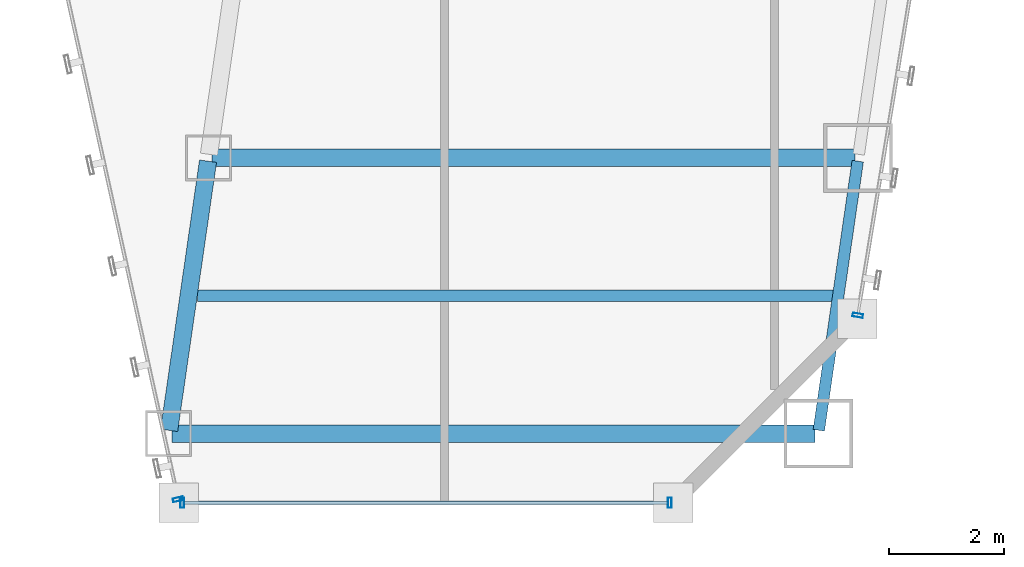
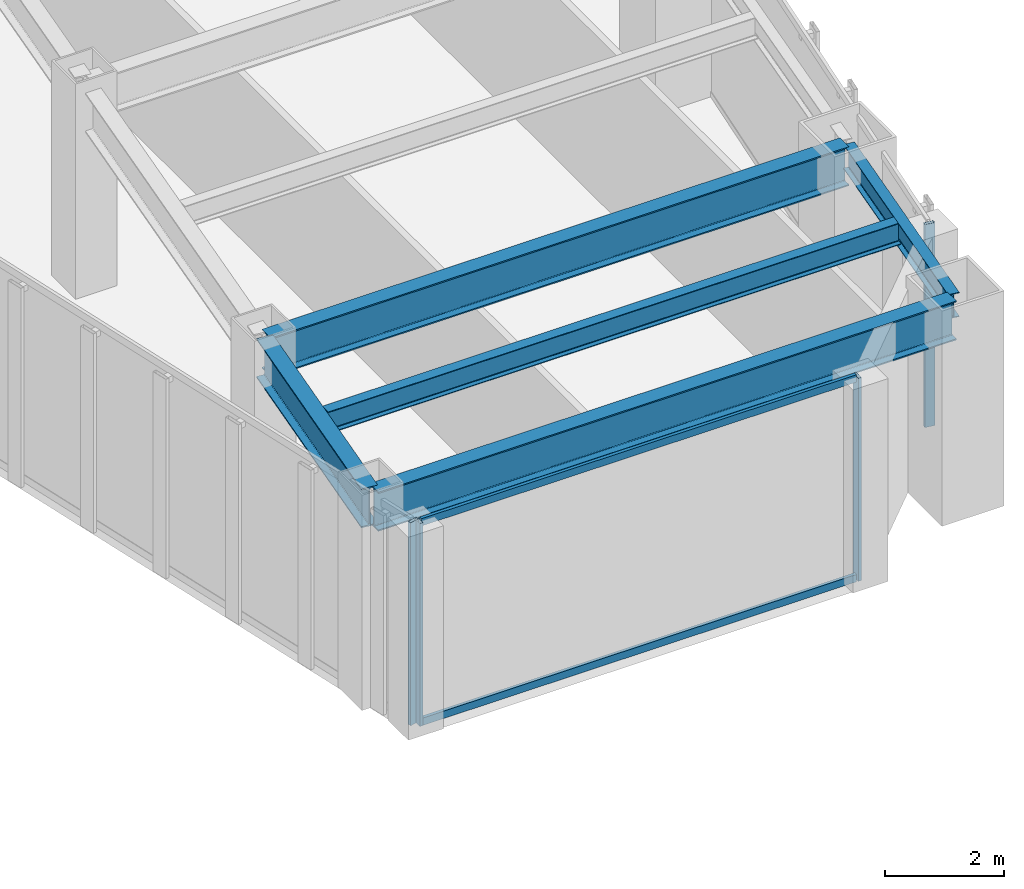
# One storey, part 15 of 49: 6 members, 5 beams, 3 elements without a shape of their own.
"""IFC4 building model written with IfcOpenShell, lengths in metres."""

from ifc_helpers import new_model, si_unit, direction, frame, origin, origin_2d, place, context, subcontext, project, spatial, hollow_rectangle, i_section, extrude, material, material_profile, profile_set, type_object, element, aggregate, save


model = new_model("IFC4")

# Units and contexts
model_context = context("Model", 3, precision=1e-05, world=origin(), true_north=direction((0.0, 1.0)))
body_context = subcontext(model_context, "Body", "Model", "MODEL_VIEW")
ifc_project = project(units=[si_unit("LENGTHUNIT", "METRE"), si_unit("AREAUNIT", "SQUARE_METRE"), si_unit("VOLUMEUNIT", "CUBIC_METRE"), si_unit("PLANEANGLEUNIT", "RADIAN"), si_unit("MASSUNIT", "GRAM", prefix="KILO")], contexts=[model_context])

# Site, building, storey
site_placement = place(None, origin())
site = spatial("IfcSite", under=ifc_project, at=site_placement, CompositionType="ELEMENT")
building_placement = place(site_placement, origin())
building = spatial("IfcBuilding", under=site, at=building_placement, Name="Saevonmaru Cultural Tower", CompositionType="ELEMENT")
storey_placement = place(building_placement, frame((0.0, 0.0, 73.60009765625)))
storey = spatial("IfcBuildingStorey", under=building, at=storey_placement, Name="L15", CompositionType="ELEMENT", Elevation=73.60009765625)

# Beams
ifc_material_1 = material(Name="Steel SM420", Category="steel")
ifc_material_profile_1 = material_profile(ifc_material_1, i_section(OverallWidth=0.300048828125, OverallDepth=0.800048828125, WebThickness=0.013916015625, FlangeThickness=0.02587890625, FilletRadius=0.028076171875, at=origin_2d()), Name="H-800x300x14x26")
ifc_profile_set_1 = profile_set([ifc_material_profile_1], Name="Steel SM420")
beam_type_1 = type_object("IfcBeamType", Name="BM-G-H800", PredefinedType="BEAM", material=ifc_profile_set_1)
beam_1_placement = place(storey_placement, frame((36.231689453125, 3.259521484375, 3.75), z_axis=(0.143083234893, 0.989710658674, 0.0), x_axis=(-0.989710658674, 0.143083234893, 0.0)))
element("IfcBeam", 1, at=beam_1_placement, inside=storey, type_object=beam_type_1, Name="L15 East Atrium Girder 1", PredefinedType="BEAM", context=body_context, shape_type="SweptSolid", body=[
    extrude(i_section(OverallWidth=0.300048828125, OverallDepth=0.800048828125, WebThickness=0.013916015625, FlangeThickness=0.02587890625, FilletRadius=0.028076171875, at=origin_2d()), origin(), (0.0, 0.0, 1.0), 4.729736328125),
])
for number, where, z_axis, x_axis, name in (
    (2, (36.282958984375, 3.199951171875, 3.75), (1.0, 0.0, 0.0), (0.0, 1.0, 0.0), "L15 East Wing Transverse Girder 1"),
    (3, (36.97705078125, 8.0, 3.75), (1.0, 0.0, 0.0), (0.0, 1.0, 0.0), "L15 East Wing Transverse Girder 2"),
):
    element("IfcBeam", number, at=place(storey_placement, frame(where, z_axis=z_axis, x_axis=x_axis)), inside=storey, type_object=beam_type_1, Name=name, PredefinedType="BEAM", context=body_context, shape_type="SweptSolid", body=[
        extrude(i_section(OverallWidth=0.300048828125, OverallDepth=0.800048828125, WebThickness=0.013916015625, FlangeThickness=0.02587890625, FilletRadius=0.028076171875, at=origin_2d()), origin(), (0.0, 0.0, 1.0), 11.179931640625),
    ])
ifc_material_2 = material(Name="Steel SM355", Category="steel")
ifc_material_profile_2 = material_profile(ifc_material_2, i_section(OverallWidth=0.199951171875, OverallDepth=0.449951171875, WebThickness=0.009033203125, FlangeThickness=0.013916015625, FilletRadius=0.01806640625, at=origin_2d()), Name="H-450x200x9x14")
ifc_profile_set_2 = profile_set([ifc_material_profile_2], Name="Steel SM355")
beam_type_2 = type_object("IfcBeamType", Name="BM-J-H450", PredefinedType="JOIST", material=ifc_profile_set_2)
beam_2_placement = place(storey_placement, frame((36.72802734375, 5.60009765625, 3.9248046875), z_axis=(1.0, 0.0, 0.0), x_axis=(0.0, 1.0, 0.0)))
element("IfcBeam", 4, at=beam_2_placement, inside=storey, type_object=beam_type_2, Name="L15 East Wing Floor Joist 1", PredefinedType="JOIST", context=body_context, shape_type="SweptSolid", body=[
    extrude(i_section(OverallWidth=0.199951171875, OverallDepth=0.449951171875, WebThickness=0.009033203125, FlangeThickness=0.013916015625, FilletRadius=0.01806640625, at=origin_2d()), origin(), (0.0, 0.0, 1.0), 11.08203125),
])
ifc_material_profile_3 = material_profile(ifc_material_2, i_section(OverallWidth=0.199951171875, OverallDepth=0.5, WebThickness=0.010009765625, FlangeThickness=0.01611328125, FilletRadius=0.02001953125, at=origin_2d()), Name="H-500x200x10x16")
ifc_profile_set_3 = profile_set([ifc_material_profile_3], Name="Steel SM355")
beam_type_3 = type_object("IfcBeamType", Name="BM-SP-H500", PredefinedType="SPANDREL", material=ifc_profile_set_3)
beam_3_placement = place(storey_placement, frame((47.531494140625, 3.259521484375, 3.89990234375), z_axis=(0.14313379491, 0.989703347855, 0.0), x_axis=(-0.989703347855, 0.14313379491, 0.0)))
element("IfcBeam", 5, at=beam_3_placement, inside=storey, type_object=beam_type_3, Name="L15 East Splayed Spandrel 1", PredefinedType="SPANDREL", context=body_context, shape_type="SweptSolid", body=[
    extrude(i_section(OverallWidth=0.199951171875, OverallDepth=0.5, WebThickness=0.010009765625, FlangeThickness=0.01611328125, FilletRadius=0.02001953125, at=origin_2d()), origin(), (0.0, 0.0, 1.0), 4.729736328125),
])

# Curtain wall, member
ifc_material_3 = material(Name="Satin Bronze Anodised Aluminium", Category="aluminium")
curtain_wall_type = type_object("IfcCurtainWallType", Name="CW-TYP-A", PredefinedType="NOTDEFINED", material=ifc_material_3)
curtain_wall_1_placement = place(storey_placement, origin())
curtain_wall_1 = element("IfcCurtainWall", 6, at=curtain_wall_1_placement, inside=storey, type_object=curtain_wall_type, Name="L15 Unitised Curtain Wall E5", PredefinedType="NOTDEFINED")
ifc_material_profile_4 = material_profile(ifc_material_3, hollow_rectangle(XDim=0.06494140625, YDim=0.179931640625, WallThickness=0.00390625, at=origin_2d()), Name="ALU-MULL-180x65x4")
ifc_profile_set_4 = profile_set([ifc_material_profile_4], Name="Satin Bronze Anodised Aluminium")
member_type_1 = type_object("IfcMemberType", Name="ML-CW-180x65", PredefinedType="MULLION", material=ifc_profile_set_4)
member_1_placement = place(storey_placement, frame((36.38720703125, 2.05859375, 0.0), z_axis=(0.0, 0.0, 1.0), x_axis=(0.215413319953, -0.976522965212, 0.0)))
member_1 = element("IfcMember", 7, at=member_1_placement, type_object=member_type_1, Name="CW-TW-L15-E5 mullion 2", PredefinedType="MULLION", context=body_context, shape_type="SweptSolid", body=[
    extrude(hollow_rectangle(XDim=0.06494140625, YDim=0.179931640625, WallThickness=0.00390625, at=origin_2d()), origin(), (0.0, 0.0, 1.0), 4.14990234375),
])
aggregate(curtain_wall_1, [member_1])

# Curtain wall, members
curtain_wall_2_placement = place(storey_placement, origin())
curtain_wall_2 = element("IfcCurtainWall", 8, at=curtain_wall_2_placement, inside=storey, type_object=curtain_wall_type, Name="L15 Unitised Curtain Wall E6", PredefinedType="NOTDEFINED")
member_2_placement = place(storey_placement, frame((36.4599609375, 2.0, 0.0), z_axis=(0.0, 0.0, 1.0), x_axis=(1.0, 0.0, 0.0)))
member_2 = element("IfcMember", 9, at=member_2_placement, type_object=member_type_1, Name="CW-TW-L15-E6 mullion 1", PredefinedType="MULLION", context=body_context, shape_type="SweptSolid", body=[
    extrude(hollow_rectangle(XDim=0.06494140625, YDim=0.179931640625, WallThickness=0.00390625, at=origin_2d()), origin(), (0.0, 0.0, 1.0), 4.14990234375),
])
member_3_placement = place(storey_placement, frame((44.93994140625, 2.0, 0.0), z_axis=(0.0, 0.0, 1.0), x_axis=(1.0, 0.0, 0.0)))
member_3 = element("IfcMember", 10, at=member_3_placement, type_object=member_type_1, Name="CW-TW-L15-E6 mullion 2", PredefinedType="MULLION", context=body_context, shape_type="SweptSolid", body=[
    extrude(hollow_rectangle(XDim=0.06494140625, YDim=0.179931640625, WallThickness=0.00390625, at=origin_2d()), origin(), (0.0, 0.0, 1.0), 4.14990234375),
])

# Curtain wall, member
curtain_wall_3_placement = place(storey_placement, origin())
curtain_wall_3 = element("IfcCurtainWall", 11, at=curtain_wall_3_placement, inside=storey, type_object=curtain_wall_type, Name="L15 Unitised Curtain Wall E8", PredefinedType="NOTDEFINED")
member_4_placement = place(storey_placement, frame((48.209716796875, 5.25927734375, 0.0), z_axis=(0.0, 0.0, 1.0), x_axis=(0.161708868641, 0.986838508472, 0.0)))
member_4 = element("IfcMember", 12, at=member_4_placement, type_object=member_type_1, Name="CW-TW-L15-E8 mullion 1", PredefinedType="MULLION", context=body_context, shape_type="SweptSolid", body=[
    extrude(hollow_rectangle(XDim=0.06494140625, YDim=0.179931640625, WallThickness=0.00390625, at=origin_2d()), origin(), (0.0, 0.0, 1.0), 4.14990234375),
])
aggregate(curtain_wall_3, [member_4])

# Member
ifc_material_profile_5 = material_profile(ifc_material_3, hollow_rectangle(XDim=0.06494140625, YDim=0.14990234375, WallThickness=0.00390625, at=origin_2d()), Name="ALU-TRAN-150x65x4")
ifc_profile_set_5 = profile_set([ifc_material_profile_5], Name="Satin Bronze Anodised Aluminium")
member_type_2 = type_object("IfcMemberType", Name="TR-CW-150x65", PredefinedType="USERDEFINED", material=ifc_profile_set_5)
member_5_placement = place(storey_placement, frame((36.492431640625, 2.0, 0.032470703125), z_axis=(1.0, 0.0, 0.0), x_axis=(0.0, 1.0, 0.0)))
member_5 = element("IfcMember", 13, at=member_5_placement, type_object=member_type_2, Name="CW-TW-L15-E6 transom 1.1", ObjectType="TRANSOM", PredefinedType="USERDEFINED", context=body_context, shape_type="SweptSolid", body=[
    extrude(hollow_rectangle(XDim=0.06494140625, YDim=0.14990234375, WallThickness=0.00390625, at=origin_2d()), origin(), (0.0, 0.0, 1.0), 8.4150390625),
])

member_6_placement = place(storey_placement, frame((36.492431640625, 2.0, 4.117431640625), z_axis=(1.0, 0.0, 0.0), x_axis=(0.0, 1.0, 0.0)))
member_6 = element("IfcMember", 14, at=member_6_placement, type_object=member_type_2, Name="CW-TW-L15-E6 transom 1.2", ObjectType="TRANSOM", PredefinedType="USERDEFINED", context=body_context, shape_type="SweptSolid", body=[
    extrude(hollow_rectangle(XDim=0.06494140625, YDim=0.14990234375, WallThickness=0.00390625, at=origin_2d()), origin(), (0.0, 0.0, 1.0), 8.4150390625),
])

aggregate(curtain_wall_2, [member_2, member_3, member_5, member_6])

save(model, "model.ifc")
